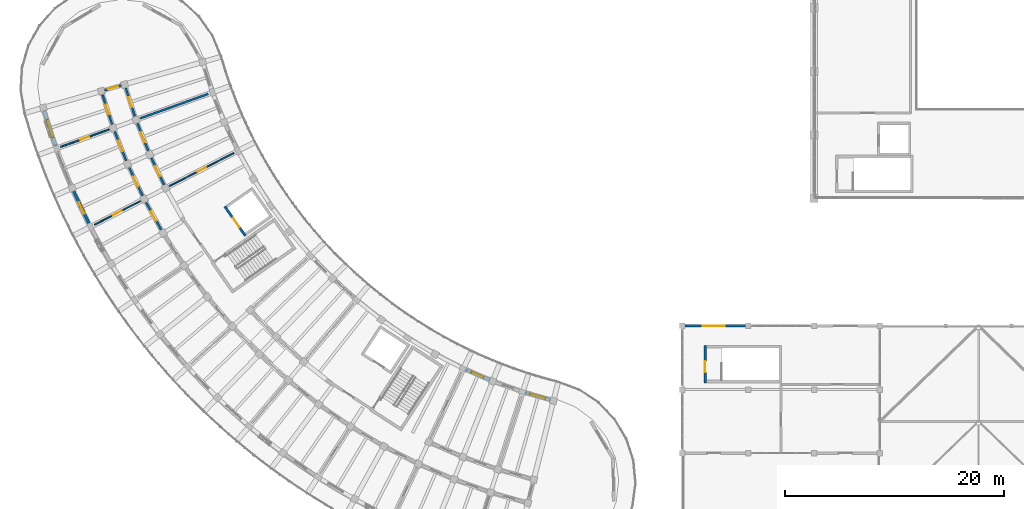
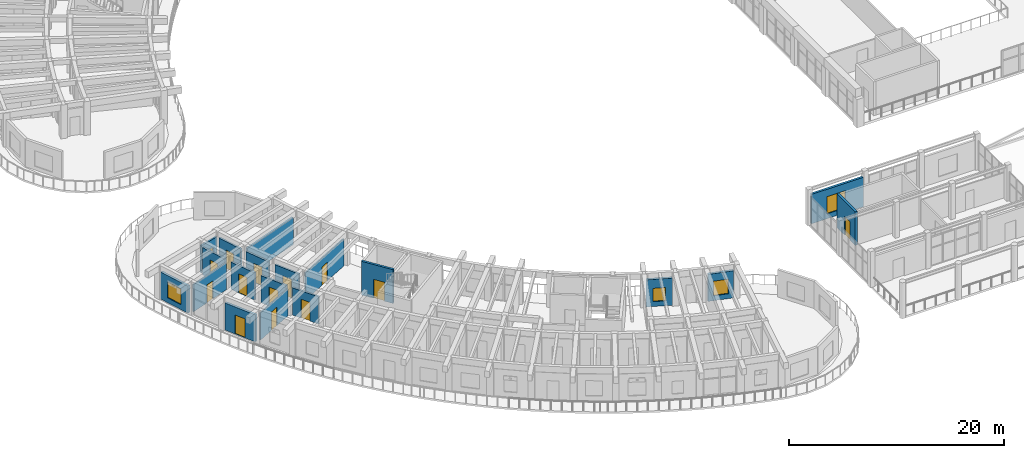
# One storey, part 83 of 128: 19 walls, 14 doors, 4 windows, 18 openings.
"""IFC4 building model written with IfcOpenShell, lengths in metres."""

from ifc_helpers import new_model, si_unit, direction, frame, frame_2d, origin, place, context, subcontext, project, spatial, rectangle, extrude, material, layer, layer_set, type_object, element, fill, save


model = new_model("IFC4")

# Units and contexts
model_context = context("Model", 3, precision=1e-05, world=origin(), true_north=direction((0.0, 1.0)))
body_context = subcontext(model_context, "Body", "Model", "MODEL_VIEW")
ifc_project = project(units=[si_unit("LENGTHUNIT", "METRE"), si_unit("AREAUNIT", "SQUARE_METRE"), si_unit("VOLUMEUNIT", "CUBIC_METRE"), si_unit("PLANEANGLEUNIT", "RADIAN"), si_unit("MASSUNIT", "GRAM", prefix="KILO")], contexts=[model_context])

# Site, building, storey
site_placement = place(None, origin())
site = spatial("IfcSite", under=ifc_project, at=site_placement, CompositionType="ELEMENT")
building_placement = place(site_placement, origin())
building = spatial("IfcBuilding", under=site, at=building_placement, Name="Tanwirah Colonnade Gardens", CompositionType="ELEMENT")
storey_placement = place(building_placement, frame((0.0, 0.0, 4.760009765625)))
storey = spatial("IfcBuildingStorey", under=building, at=storey_placement, Name="L01", CompositionType="ELEMENT", Elevation=4.760009765625)

# Wall, opening, window
ifc_material_1 = material(Name="Limestone architectural precast concrete C40/50", Category="masonry")
ifc_layer_1 = layer(ifc_material_1, 0.239990234375)
ifc_layer_set_1 = layer_set([ifc_layer_1], Name="Limestone architectural precast concrete C40/50")
wall_type_1 = type_object("IfcWallType", Name="EW-PC240", PredefinedType="SOLIDWALL", material=ifc_layer_set_1)
wall_1_placement = place(storey_placement, frame((66.219970703125, 28.199951171875, 0.0), z_axis=(0.0, 0.0, 1.0), x_axis=(1.0, 0.0, 0.0)))
wall_1 = element("IfcWall", 1, at=wall_1_placement, inside=storey, type_object=wall_type_1, Name="Boulevard Shops W L01 N Wall 0", PredefinedType="SOLIDWALL", context=body_context, shape_type="SweptSolid", body=[
    extrude(rectangle(XDim=5.56005859375, YDim=0.239990234375, at=frame_2d((2.780029296875, 0.0))), origin(), (0.0, 0.0, 1.0), 3.340087890625),
])
opening_1_placement = place(wall_1_placement, frame((1.639892578125, 0.0, 0.550048828125)))
opening_1 = element("IfcOpeningElement", 2, at=opening_1_placement, cuts=wall_1, Name="Opening WIN-SHP1", PredefinedType="OPENING", context=body_context, shape_type="SweptSolid", body=[
    extrude(rectangle(XDim=2.02001953125, YDim=1.949951171875, at=frame_2d((1.010009765625, 0.97509765625))), frame((0.0, 0.1298828125, 0.0), z_axis=(0.0, -1.0, 0.0), x_axis=(1.0, 0.0, 0.0)), (0.0, 0.0, 1.0), 0.260009765625),
])
ifc_material_2 = material(Name="Thermally broken bronze aluminium and solar low-E double glazing", Category="aluminium")
window_type_1 = type_object("IfcWindowType", Name="WIN-SHP1", PartitioningType="TRIPLE_PANEL_VERTICAL", PredefinedType="WINDOW", material=ifc_material_2)
window_1_placement = place(opening_1_placement, origin())
window_1 = element("IfcWindow", 3, at=window_1_placement, inside=storey, type_object=window_type_1, Name="Boulevard Shop Window W-L01-0", OverallHeight=1.949951171875, OverallWidth=2.02001953125, PartitioningType="SINGLE_PANEL", PredefinedType="WINDOW", context=body_context, shape_type="SweptSolid", body=[
    extrude(rectangle(XDim=2.02001953125, YDim=1.949951171875, at=frame_2d((1.010009765625, 0.97509765625))), frame((0.0, 0.030029296875, 0.0), z_axis=(0.0, -1.0, 0.0), x_axis=(1.0, 0.0, 0.0)), (0.0, 0.0, 1.0), 0.06005859375),
])
fill(opening_1, window_1)

ifc_layer_2 = layer(ifc_material_1, 0.260009765625)
ifc_layer_set_2 = layer_set([ifc_layer_2], Name="Limestone architectural precast concrete C40/50")
wall_type_2 = type_object("IfcWallType", Name="EW-PC260", PredefinedType="SOLIDWALL", material=ifc_layer_set_2)
wall_2_placement = place(storey_placement, frame((7.84130859375, 47.823974609375, 0.0), z_axis=(0.0, 0.0, 1.0), x_axis=(0.306963342814, -0.951721338506, 0.0)))
wall_2 = element("IfcWall", 4, at=wall_2_placement, inside=storey, type_object=wall_type_2, Name="Block C L01 OUT Precast Facade Wall 0", PredefinedType="SOLIDWALL", context=body_context, shape_type="SweptSolid", body=[
    extrude(rectangle(XDim=3.436767578125, YDim=0.260009765625, at=frame_2d((1.71826171875, 0.0))), origin(), (0.0, 0.0, 1.0), 3.074951171875),
])
opening_2_placement = place(wall_2_placement, frame((0.868408203125, 0.0, 0.550048828125)))
opening_2 = element("IfcOpeningElement", 5, at=opening_2_placement, cuts=wall_2, Name="Opening WIN-T12", PredefinedType="OPENING", context=body_context, shape_type="SweptSolid", body=[
    extrude(rectangle(XDim=1.699951171875, YDim=1.800048828125, at=frame_2d((0.85009765625, 0.89990234375))), frame((0.0, 0.139892578125, 0.0), z_axis=(0.0, -1.0, 0.0), x_axis=(1.0, 0.0, 0.0)), (0.0, 0.0, 1.0), 0.280029296875),
])
window_type_2 = type_object("IfcWindowType", Name="WIN-T12", PartitioningType="TRIPLE_PANEL_VERTICAL", PredefinedType="WINDOW", material=ifc_material_2)
window_2_placement = place(opening_2_placement, origin())
window_2 = element("IfcWindow", 6, at=window_2_placement, inside=storey, type_object=window_type_2, Name="Facade window C-L01-OUT-00", OverallHeight=1.800048828125, OverallWidth=1.699951171875, PartitioningType="SINGLE_PANEL", PredefinedType="WINDOW", context=body_context, shape_type="SweptSolid", body=[
    extrude(rectangle(XDim=1.699951171875, YDim=1.800048828125, at=frame_2d((0.85009765625, 0.89990234375))), frame((0.0, 0.030029296875, 0.0), z_axis=(0.0, -1.0, 0.0), x_axis=(1.0, 0.0, 0.0)), (0.0, 0.0, 1.0), 0.06005859375),
])
fill(opening_2, window_2)

# Wall, opening, door
wall_3_placement = place(storey_placement, frame((10.5068359375, 40.506103515625, 0.0), z_axis=(0.0, 0.0, 1.0), x_axis=(0.428562647062, -0.903512068289, 0.0)))
wall_3 = element("IfcWall", 7, at=wall_3_placement, inside=storey, type_object=wall_type_2, Name="Block C L01 OUT Precast Facade Wall 2", PredefinedType="SOLIDWALL", context=body_context, shape_type="SweptSolid", body=[
    extrude(rectangle(XDim=3.436767578125, YDim=0.260009765625, at=frame_2d((1.71826171875, 0.0))), origin(), (0.0, 0.0, 1.0), 3.074951171875),
])
opening_3_placement = place(wall_3_placement, frame((1.1484375, 0.0, 0.0)))
opening_3 = element("IfcOpeningElement", 8, at=opening_3_placement, cuts=wall_3, Name="Opening L01-ED127", PredefinedType="OPENING", context=body_context, shape_type="SweptSolid", body=[
    extrude(rectangle(XDim=1.139892578125, YDim=2.159912109375, at=frame_2d((0.56982421875, 1.080078125))), frame((0.0, 0.139892578125, 0.0), z_axis=(0.0, -1.0, 0.0), x_axis=(1.0, 0.0, 0.0)), (0.0, 0.0, 1.0), 0.280029296875),
])
ifc_material_3 = material(Name="Bronze aluminium glazed balcony door", Category="aluminium")
door_type_1 = type_object("IfcDoorType", Name="ED-BAL114", OperationType="NOTDEFINED", PredefinedType="DOOR", material=ifc_material_3)
door_1_placement = place(opening_3_placement, origin())
door_1 = element("IfcDoor", 9, at=door_1_placement, inside=storey, type_object=door_type_1, Name="Balcony glazed door L01-ED127", OperationType="SINGLE_SWING_RIGHT", OverallHeight=2.159912109375, OverallWidth=1.139892578125, PredefinedType="DOOR", context=body_context, shape_type="SweptSolid", body=[
    extrude(rectangle(XDim=1.139892578125, YDim=2.159912109375, at=frame_2d((0.56982421875, 1.080078125))), frame((0.0, 0.02490234375, 0.0), z_axis=(0.0, -1.0, 0.0), x_axis=(1.0, 0.0, 0.0)), (0.0, 0.0, 1.0), 0.050048828125),
])
fill(opening_3, door_1)

# Wall, opening, window
wall_4_placement = place(storey_placement, frame((46.208740234375, 24.2236328125, 0.0), z_axis=(0.0, 0.0, 1.0), x_axis=(0.917908073111, -0.396793106439, 0.0)))
wall_4 = element("IfcWall", 10, at=wall_4_placement, inside=storey, type_object=wall_type_2, Name="Block C L01 IN Precast Facade Wall 13", PredefinedType="SOLIDWALL", context=body_context, shape_type="SweptSolid", body=[
    extrude(rectangle(XDim=2.44873046875, YDim=0.260009765625, at=frame_2d((1.224365234375, 0.0))), origin(), (0.0, 0.0, 1.0), 3.074951171875),
])
opening_4_placement = place(wall_4_placement, frame((0.62451171875, 0.0, 0.550048828125)))
opening_4 = element("IfcOpeningElement", 11, at=opening_4_placement, cuts=wall_4, Name="Opening WIN-U02", PredefinedType="OPENING", context=body_context, shape_type="SweptSolid", body=[
    extrude(rectangle(XDim=1.199951171875, YDim=1.510009765625, at=frame_2d((0.60009765625, 0.7548828125))), frame((0.0, 0.139892578125, 0.0), z_axis=(0.0, -1.0, 0.0), x_axis=(1.0, 0.0, 0.0)), (0.0, 0.0, 1.0), 0.280029296875),
])
window_type_3 = type_object("IfcWindowType", Name="WIN-U02", PartitioningType="DOUBLE_PANEL_VERTICAL", PredefinedType="WINDOW", material=ifc_material_2)
window_3_placement = place(opening_4_placement, origin())
window_3 = element("IfcWindow", 12, at=window_3_placement, inside=storey, type_object=window_type_3, Name="Facade window C-L01-IN-13", OverallHeight=1.510009765625, OverallWidth=1.199951171875, PartitioningType="SINGLE_PANEL", PredefinedType="WINDOW", context=body_context, shape_type="SweptSolid", body=[
    extrude(rectangle(XDim=1.199951171875, YDim=1.510009765625, at=frame_2d((0.60009765625, 0.7548828125))), frame((0.0, 0.030029296875, 0.0), z_axis=(0.0, -1.0, 0.0), x_axis=(1.0, 0.0, 0.0)), (0.0, 0.0, 1.0), 0.06005859375),
])
fill(opening_4, window_3)

wall_5_placement = place(storey_placement, frame((51.626708984375, 22.115478515625, 0.0), z_axis=(0.0, 0.0, 1.0), x_axis=(0.961854311059, -0.273562212847, 0.0)))
wall_5 = element("IfcWall", 13, at=wall_5_placement, inside=storey, type_object=wall_type_2, Name="Block C L01 IN Precast Facade Wall 15", PredefinedType="SOLIDWALL", context=body_context, shape_type="SweptSolid", body=[
    extrude(rectangle(XDim=2.448974609375, YDim=0.260009765625, at=frame_2d((1.224609375, 0.0))), origin(), (0.0, 0.0, 1.0), 3.074951171875),
])
opening_5_placement = place(wall_5_placement, frame((0.50439453125, 0.0, 0.550048828125)))
opening_5 = element("IfcOpeningElement", 14, at=opening_5_placement, cuts=wall_5, Name="Opening WIN-U08", PredefinedType="OPENING", context=body_context, shape_type="SweptSolid", body=[
    extrude(rectangle(XDim=1.43994140625, YDim=1.659912109375, at=frame_2d((0.719970703125, 0.830078125))), frame((0.0, 0.139892578125, 0.0), z_axis=(0.0, -1.0, 0.0), x_axis=(1.0, 0.0, 0.0)), (0.0, 0.0, 1.0), 0.280029296875),
])
window_type_4 = type_object("IfcWindowType", Name="WIN-U08", PartitioningType="DOUBLE_PANEL_VERTICAL", PredefinedType="WINDOW", material=ifc_material_2)
window_4_placement = place(opening_5_placement, origin())
window_4 = element("IfcWindow", 15, at=window_4_placement, inside=storey, type_object=window_type_4, Name="Facade window C-L01-IN-15", OverallHeight=1.659912109375, OverallWidth=1.43994140625, PartitioningType="SINGLE_PANEL", PredefinedType="WINDOW", context=body_context, shape_type="SweptSolid", body=[
    extrude(rectangle(XDim=1.43994140625, YDim=1.659912109375, at=frame_2d((0.719970703125, 0.830078125))), frame((0.0, 0.030029296875, 0.0), z_axis=(0.0, -1.0, 0.0), x_axis=(1.0, 0.0, 0.0)), (0.0, 0.0, 1.0), 0.06005859375),
])
fill(opening_5, window_4)

# Wall, opening, door
ifc_material_4 = material(Name="Precast concrete C40/50", Category="concrete")
ifc_layer_3 = layer(ifc_material_4, 0.195068359375)
ifc_layer_set_3 = layer_set([ifc_layer_3], Name="Precast concrete C40/50")
wall_type_3 = type_object("IfcWallType", Name="IW-CORR195", PredefinedType="PARTITIONING", material=ifc_layer_set_3)
wall_6_placement = place(storey_placement, frame((13.151123046875, 49.268798828125, 0.0), z_axis=(0.0, 0.0, 1.0), x_axis=(0.30694495224, -0.951727269912, 0.0)))
wall_6 = element("IfcWall", 16, at=wall_6_placement, inside=storey, type_object=wall_type_3, Name="Block C L01 OUT Corridor Wall 0", PredefinedType="PARTITIONING", context=body_context, shape_type="SweptSolid", body=[
    extrude(rectangle(XDim=2.837158203125, YDim=0.195068359375, at=frame_2d((1.41845703125, 0.0))), origin(), (0.0, 0.0, 1.0), 3.090087890625),
])
opening_6_placement = place(wall_6_placement, frame((0.95361328125, 0.0, 0.0)))
opening_6 = element("IfcOpeningElement", 17, at=opening_6_placement, cuts=wall_6, Name="Opening L01-AD1315", PredefinedType="OPENING", context=body_context, shape_type="SweptSolid", body=[
    extrude(rectangle(XDim=0.929931640625, YDim=2.1201171875, at=frame_2d((0.46484375, 1.06005859375))), frame((0.0, 0.107421875, 0.0), z_axis=(0.0, -1.0, 0.0), x_axis=(1.0, 0.0, 0.0)), (0.0, 0.0, 1.0), 0.215087890625),
])
ifc_material_5 = material(Name="Solid oak fire-resisting apartment entrance door")
door_type_2 = type_object("IfcDoorType", Name="ID-FLT093", OperationType="NOTDEFINED", PredefinedType="DOOR", material=ifc_material_5)
door_2_placement = place(opening_6_placement, origin())
door_2 = element("IfcDoor", 18, at=door_2_placement, inside=storey, type_object=door_type_2, Name="Apartment corridor door L01-AD1315", OperationType="SINGLE_SWING_RIGHT", OverallHeight=2.1201171875, OverallWidth=0.929931640625, PredefinedType="DOOR", context=body_context, shape_type="SweptSolid", body=[
    extrude(rectangle(XDim=0.929931640625, YDim=2.1201171875, at=frame_2d((0.46484375, 1.06005859375))), frame((0.0, 0.02490234375, 0.0), z_axis=(0.0, -1.0, 0.0), x_axis=(1.0, 0.0, 0.0)), (0.0, 0.0, 1.0), 0.050048828125),
])
fill(opening_6, door_2)

wall_7_placement = place(storey_placement, frame((15.26611328125, 49.875, 0.0), z_axis=(0.0, 0.0, 1.0), x_axis=(0.306883578189, -0.951747061691, 0.0)))
wall_7 = element("IfcWall", 19, at=wall_7_placement, inside=storey, type_object=wall_type_3, Name="Block C L01 IN Corridor Wall 0", PredefinedType="PARTITIONING", context=body_context, shape_type="SweptSolid", body=[
    extrude(rectangle(XDim=2.69287109375, YDim=0.195068359375, at=frame_2d((1.346435546875, 0.0))), origin(), (0.0, 0.0, 1.0), 3.090087890625),
])
opening_7_placement = place(wall_7_placement, frame((0.881591796875, 0.0, 0.0)))
opening_7 = element("IfcOpeningElement", 20, at=opening_7_placement, cuts=wall_7, Name="Opening L01-AD1316", PredefinedType="OPENING", context=body_context, shape_type="SweptSolid", body=[
    extrude(rectangle(XDim=0.929931640625, YDim=2.1201171875, at=frame_2d((0.46484375, 1.06005859375))), frame((0.0, 0.107421875, 0.0), z_axis=(0.0, -1.0, 0.0), x_axis=(1.0, 0.0, 0.0)), (0.0, 0.0, 1.0), 0.215087890625),
])
door_3_placement = place(opening_7_placement, origin())
door_3 = element("IfcDoor", 21, at=door_3_placement, inside=storey, type_object=door_type_2, Name="Apartment corridor door L01-AD1316", OperationType="SINGLE_SWING_LEFT", OverallHeight=2.1201171875, OverallWidth=0.929931640625, PredefinedType="DOOR", context=body_context, shape_type="SweptSolid", body=[
    extrude(rectangle(XDim=0.929931640625, YDim=2.1201171875, at=frame_2d((0.46484375, 1.06005859375))), frame((0.0, 0.02490234375, 0.0), z_axis=(0.0, -1.0, 0.0), x_axis=(1.0, 0.0, 0.0)), (0.0, 0.0, 1.0), 0.050048828125),
])
fill(opening_7, door_3)

wall_8_placement = place(storey_placement, frame((14.25830078125, 45.91015625, 0.0), z_axis=(0.0, 0.0, 1.0), x_axis=(0.368584691693, -0.929594172233, 0.0)))
wall_8 = element("IfcWall", 22, at=wall_8_placement, inside=storey, type_object=wall_type_3, Name="Block C L01 OUT Corridor Wall 1", PredefinedType="PARTITIONING", context=body_context, shape_type="SweptSolid", body=[
    extrude(rectangle(XDim=2.8369140625, YDim=0.195068359375, at=frame_2d((1.41845703125, 0.0))), origin(), (0.0, 0.0, 1.0), 3.090087890625),
])
opening_8_placement = place(wall_8_placement, frame((0.923583984375, 0.0, 0.0)))
opening_8 = element("IfcOpeningElement", 23, at=opening_8_placement, cuts=wall_8, Name="Opening L01-AD1318", PredefinedType="OPENING", context=body_context, shape_type="SweptSolid", body=[
    extrude(rectangle(XDim=0.989990234375, YDim=2.159912109375, at=frame_2d((0.4951171875, 1.080078125))), frame((0.0, 0.107421875, 0.0), z_axis=(0.0, -1.0, 0.0), x_axis=(1.0, 0.0, 0.0)), (0.0, 0.0, 1.0), 0.215087890625),
])
door_type_3 = type_object("IfcDoorType", Name="ID-FLT099", OperationType="NOTDEFINED", PredefinedType="DOOR", material=ifc_material_5)
door_4_placement = place(opening_8_placement, origin())
door_4 = element("IfcDoor", 24, at=door_4_placement, inside=storey, type_object=door_type_3, Name="Apartment corridor door L01-AD1318", OperationType="SINGLE_SWING_LEFT", OverallHeight=2.159912109375, OverallWidth=0.989990234375, PredefinedType="DOOR", context=body_context, shape_type="SweptSolid", body=[
    extrude(rectangle(XDim=0.989990234375, YDim=2.159912109375, at=frame_2d((0.4951171875, 1.080078125))), frame((0.0, 0.02490234375, 0.0), z_axis=(0.0, -1.0, 0.0), x_axis=(1.0, 0.0, 0.0)), (0.0, 0.0, 1.0), 0.050048828125),
])
fill(opening_8, door_4)

wall_9_placement = place(storey_placement, frame((16.3291015625, 46.653564453125, 0.0), z_axis=(0.0, 0.0, 1.0), x_axis=(0.368528468945, -0.929616462622, 0.0)))
wall_9 = element("IfcWall", 25, at=wall_9_placement, inside=storey, type_object=wall_type_3, Name="Block C L01 IN Corridor Wall 1", PredefinedType="PARTITIONING", context=body_context, shape_type="SweptSolid", body=[
    extrude(rectangle(XDim=2.69287109375, YDim=0.195068359375, at=frame_2d((1.346435546875, 0.0))), origin(), (0.0, 0.0, 1.0), 3.090087890625),
])
opening_9_placement = place(wall_9_placement, frame((0.8515625, 0.0, 0.0)))
opening_9 = element("IfcOpeningElement", 26, at=opening_9_placement, cuts=wall_9, Name="Opening L01-AD1319", PredefinedType="OPENING", context=body_context, shape_type="SweptSolid", body=[
    extrude(rectangle(XDim=0.989990234375, YDim=2.159912109375, at=frame_2d((0.4951171875, 1.080078125))), frame((0.0, 0.107421875, 0.0), z_axis=(0.0, -1.0, 0.0), x_axis=(1.0, 0.0, 0.0)), (0.0, 0.0, 1.0), 0.215087890625),
])
door_5_placement = place(opening_9_placement, origin())
door_5 = element("IfcDoor", 27, at=door_5_placement, inside=storey, type_object=door_type_3, Name="Apartment corridor door L01-AD1319", OperationType="SINGLE_SWING_RIGHT", OverallHeight=2.159912109375, OverallWidth=0.989990234375, PredefinedType="DOOR", context=body_context, shape_type="SweptSolid", body=[
    extrude(rectangle(XDim=0.989990234375, YDim=2.159912109375, at=frame_2d((0.4951171875, 1.080078125))), frame((0.0, 0.02490234375, 0.0), z_axis=(0.0, -1.0, 0.0), x_axis=(1.0, 0.0, 0.0)), (0.0, 0.0, 1.0), 0.050048828125),
])
fill(opening_9, door_5)

wall_10_placement = place(storey_placement, frame((15.5830078125, 42.63134765625, 0.0), z_axis=(0.0, 0.0, 1.0), x_axis=(0.428493237107, -0.903544988229, 0.0)))
wall_10 = element("IfcWall", 28, at=wall_10_placement, inside=storey, type_object=wall_type_3, Name="Block C L01 OUT Corridor Wall 2", PredefinedType="PARTITIONING", context=body_context, shape_type="SweptSolid", body=[
    extrude(rectangle(XDim=2.8369140625, YDim=0.195068359375, at=frame_2d((1.41845703125, 0.0))), origin(), (0.0, 0.0, 1.0), 3.090087890625),
])
opening_10_placement = place(wall_10_placement, frame((0.93359375, 0.0, 0.0)))
opening_10 = element("IfcOpeningElement", 29, at=opening_10_placement, cuts=wall_10, Name="Opening L01-AD1320", PredefinedType="OPENING", context=body_context, shape_type="SweptSolid", body=[
    extrude(rectangle(XDim=0.969970703125, YDim=2.14990234375, at=frame_2d((0.48486328125, 1.074951171875))), frame((0.0, 0.107421875, 0.0), z_axis=(0.0, -1.0, 0.0), x_axis=(1.0, 0.0, 0.0)), (0.0, 0.0, 1.0), 0.215087890625),
])
door_type_4 = type_object("IfcDoorType", Name="ID-FLT097", OperationType="NOTDEFINED", PredefinedType="DOOR", material=ifc_material_5)
door_6_placement = place(opening_10_placement, origin())
door_6 = element("IfcDoor", 30, at=door_6_placement, inside=storey, type_object=door_type_4, Name="Apartment corridor door L01-AD1320", OperationType="SINGLE_SWING_RIGHT", OverallHeight=2.14990234375, OverallWidth=0.969970703125, PredefinedType="DOOR", context=body_context, shape_type="SweptSolid", body=[
    extrude(rectangle(XDim=0.969970703125, YDim=2.14990234375, at=frame_2d((0.48486328125, 1.074951171875))), frame((0.0, 0.02490234375, 0.0), z_axis=(0.0, -1.0, 0.0), x_axis=(1.0, 0.0, 0.0)), (0.0, 0.0, 1.0), 0.050048828125),
])
fill(opening_10, door_6)

wall_11_placement = place(storey_placement, frame((17.600341796875, 43.508544921875, 0.0), z_axis=(0.0, 0.0, 1.0), x_axis=(0.428550049392, -0.903518043631, 0.0)))
wall_11 = element("IfcWall", 31, at=wall_11_placement, inside=storey, type_object=wall_type_3, Name="Block C L01 IN Corridor Wall 2", PredefinedType="PARTITIONING", context=body_context, shape_type="SweptSolid", body=[
    extrude(rectangle(XDim=2.69287109375, YDim=0.195068359375, at=frame_2d((1.346435546875, 0.0))), origin(), (0.0, 0.0, 1.0), 3.090087890625),
])
opening_11_placement = place(wall_11_placement, frame((0.861572265625, 0.0, 0.0)))
opening_11 = element("IfcOpeningElement", 32, at=opening_11_placement, cuts=wall_11, Name="Opening L01-AD1321", PredefinedType="OPENING", context=body_context, shape_type="SweptSolid", body=[
    extrude(rectangle(XDim=0.969970703125, YDim=2.14990234375, at=frame_2d((0.48486328125, 1.074951171875))), frame((0.0, 0.107421875, 0.0), z_axis=(0.0, -1.0, 0.0), x_axis=(1.0, 0.0, 0.0)), (0.0, 0.0, 1.0), 0.215087890625),
])
door_7_placement = place(opening_11_placement, origin())
door_7 = element("IfcDoor", 33, at=door_7_placement, inside=storey, type_object=door_type_4, Name="Apartment corridor door L01-AD1321", OperationType="SINGLE_SWING_LEFT", OverallHeight=2.14990234375, OverallWidth=0.969970703125, PredefinedType="DOOR", context=body_context, shape_type="SweptSolid", body=[
    extrude(rectangle(XDim=0.969970703125, YDim=2.14990234375, at=frame_2d((0.48486328125, 1.074951171875))), frame((0.0, 0.02490234375, 0.0), z_axis=(0.0, -1.0, 0.0), x_axis=(1.0, 0.0, 0.0)), (0.0, 0.0, 1.0), 0.050048828125),
])
fill(opening_11, door_7)

wall_12_placement = place(storey_placement, frame((17.118896484375, 39.4462890625, 0.0), z_axis=(0.0, 0.0, 1.0), x_axis=(0.48673124079, -0.8735517725, 0.0)))
wall_12 = element("IfcWall", 34, at=wall_12_placement, inside=storey, type_object=wall_type_3, Name="Block C L01 OUT Corridor Wall 3", PredefinedType="PARTITIONING", context=body_context, shape_type="SweptSolid", body=[
    extrude(rectangle(XDim=2.8369140625, YDim=0.195068359375, at=frame_2d((1.41845703125, 0.0))), origin(), (0.0, 0.0, 1.0), 3.090087890625),
])
opening_12_placement = place(wall_12_placement, frame((0.943603515625, 0.0, 0.0)))
opening_12 = element("IfcOpeningElement", 35, at=opening_12_placement, cuts=wall_12, Name="Opening L01-AD1324", PredefinedType="OPENING", context=body_context, shape_type="SweptSolid", body=[
    extrude(rectangle(XDim=0.949951171875, YDim=2.1298828125, at=frame_2d((0.47509765625, 1.06494140625))), frame((0.0, 0.107421875, 0.0), z_axis=(0.0, -1.0, 0.0), x_axis=(1.0, 0.0, 0.0)), (0.0, 0.0, 1.0), 0.215087890625),
])
door_type_5 = type_object("IfcDoorType", Name="ID-FLT095", OperationType="NOTDEFINED", PredefinedType="DOOR", material=ifc_material_5)
door_8_placement = place(opening_12_placement, origin())
door_8 = element("IfcDoor", 36, at=door_8_placement, inside=storey, type_object=door_type_5, Name="Apartment corridor door L01-AD1324", OperationType="SINGLE_SWING_LEFT", OverallHeight=2.1298828125, OverallWidth=0.949951171875, PredefinedType="DOOR", context=body_context, shape_type="SweptSolid", body=[
    extrude(rectangle(XDim=0.949951171875, YDim=2.1298828125, at=frame_2d((0.47509765625, 1.06494140625))), frame((0.0, 0.02490234375, 0.0), z_axis=(0.0, -1.0, 0.0), x_axis=(1.0, 0.0, 0.0)), (0.0, 0.0, 1.0), 0.050048828125),
])
fill(opening_12, door_8)

wall_13_placement = place(storey_placement, frame((15.110595703125, 50.1943359375, 0.0), z_axis=(0.0, 0.0, 1.0), x_axis=(-0.961264701934, -0.275626872449, 0.0)))
wall_13 = element("IfcWall", 37, at=wall_13_placement, inside=storey, type_object=wall_type_3, Name="Block C L01 CS Corner Suite Corridor Wall", PredefinedType="PARTITIONING", context=body_context, shape_type="SweptSolid", body=[
    extrude(rectangle(XDim=2.10009765625, YDim=0.195068359375, at=frame_2d((1.050048828125, 0.0))), origin(), (0.0, 0.0, 1.0), 3.090087890625),
])
opening_13_placement = place(wall_13_placement, frame((0.570068359375, 0.0, 0.0)))
opening_13 = element("IfcOpeningElement", 38, at=opening_13_placement, cuts=wall_13, Name="Opening L01-CD1351", PredefinedType="OPENING", context=body_context, shape_type="SweptSolid", body=[
    extrude(rectangle(XDim=0.949951171875, YDim=2.1298828125, at=frame_2d((0.47509765625, 1.06494140625))), frame((0.0, 0.107421875, 0.0), z_axis=(0.0, -1.0, 0.0), x_axis=(1.0, 0.0, 0.0)), (0.0, 0.0, 1.0), 0.215087890625),
])
door_9_placement = place(opening_13_placement, origin())
door_9 = element("IfcDoor", 39, at=door_9_placement, inside=storey, type_object=door_type_5, Name="Corner suite entrance door L01-CD1351", OperationType="SINGLE_SWING_LEFT", OverallHeight=2.1298828125, OverallWidth=0.949951171875, PredefinedType="DOOR", context=body_context, shape_type="SweptSolid", body=[
    extrude(rectangle(XDim=0.949951171875, YDim=2.1298828125, at=frame_2d((0.47509765625, 1.06494140625))), frame((0.0, 0.02490234375, 0.0), z_axis=(0.0, -1.0, 0.0), x_axis=(1.0, 0.0, 0.0)), (0.0, 0.0, 1.0), 0.050048828125),
])
fill(opening_13, door_9)

# Wall
ifc_layer_4 = layer(ifc_material_4, 0.18505859375)
ifc_layer_set_4 = layer_set([ifc_layer_4], Name="Precast concrete C40/50")
wall_type_4 = type_object("IfcWallType", Name="IW-DEM185", PredefinedType="PARTITIONING", material=ifc_layer_set_4)
wall_14_placement = place(storey_placement, frame((22.788330078125, 49.344482421875, 0.0), z_axis=(0.0, 0.0, 1.0), x_axis=(-0.941179890997, -0.337905922978, 0.0)))
element("IfcWall", 40, at=wall_14_placement, inside=storey, type_object=wall_type_4, Name="Block C L01 Inner Radial Partition 0", PredefinedType="PARTITIONING", context=body_context, shape_type="SweptSolid", body=[
    extrude(rectangle(XDim=6.60009765625, YDim=0.18505859375, at=frame_2d((3.300048828125, 0.0))), origin(), (0.0, 0.0, 1.0), 3.090087890625),
])

# Wall, opening, door
ifc_material_6 = material(Name="Acoustic gypsum stud partition")
ifc_layer_5 = layer(ifc_material_6, 0.114990234375)
ifc_layer_set_5 = layer_set([ifc_layer_5], Name="Acoustic gypsum stud partition")
wall_type_5 = type_object("IfcWallType", Name="IW-INT115", PredefinedType="PARTITIONING", material=ifc_layer_set_5)
wall_15_placement = place(storey_placement, frame((16.593017578125, 39.56884765625, 0.0), z_axis=(0.0, 0.0, 1.0), x_axis=(-0.889013002038, -0.457881952262, 0.0)))
wall_15 = element("IfcWall", 41, at=wall_15_placement, inside=storey, type_object=wall_type_5, Name="Block C L01 Radial Partition 2", PredefinedType="PARTITIONING", context=body_context, shape_type="SweptSolid", body=[
    extrude(rectangle(XDim=4.7001953125, YDim=0.114990234375, at=frame_2d((2.35009765625, 0.0))), origin(), (0.0, 0.0, 1.0), 3.090087890625),
])
opening_14_placement = place(wall_15_placement, frame((1.89501953125, 0.0, 0.0)))
opening_14 = element("IfcOpeningElement", 42, at=opening_14_placement, cuts=wall_15, Name="Opening L01-RD1322", PredefinedType="OPENING", context=body_context, shape_type="SweptSolid", body=[
    extrude(rectangle(XDim=0.909912109375, YDim=2.10009765625, at=frame_2d((0.455078125, 1.050048828125))), frame((0.0, 0.0673828125, 0.0), z_axis=(0.0, -1.0, 0.0), x_axis=(1.0, 0.0, 0.0)), (0.0, 0.0, 1.0), 0.135009765625),
])
ifc_material_7 = material(Name="Painted hardwood internal room door", Category="wood")
door_type_6 = type_object("IfcDoorType", Name="ID-RM091", OperationType="NOTDEFINED", PredefinedType="DOOR", material=ifc_material_7)
door_10_placement = place(opening_14_placement, origin())
door_10 = element("IfcDoor", 43, at=door_10_placement, inside=storey, type_object=door_type_6, Name="Internal apartment door L01-RD1322", OperationType="SINGLE_SWING_RIGHT", OverallHeight=2.10009765625, OverallWidth=0.909912109375, PredefinedType="DOOR", context=body_context, shape_type="SweptSolid", body=[
    extrude(rectangle(XDim=0.909912109375, YDim=2.10009765625, at=frame_2d((0.455078125, 1.050048828125))), frame((0.0, 0.02490234375, 0.0), z_axis=(0.0, -1.0, 0.0), x_axis=(1.0, 0.0, 0.0)), (0.0, 0.0, 1.0), 0.050048828125),
])
fill(opening_14, door_10)

ifc_material_8 = material(Name="Moisture-resistant gypsum stud partition")
ifc_layer_6 = layer(ifc_material_8, 0.125)
ifc_layer_set_6 = layer_set([ifc_layer_6], Name="Moisture-resistant gypsum stud partition")
wall_type_6 = type_object("IfcWallType", Name="IW-INT125", PredefinedType="PARTITIONING", material=ifc_layer_set_6)
wall_16_placement = place(storey_placement, frame((25.127685546875, 43.96435546875, 0.0), z_axis=(0.0, 0.0, 1.0), x_axis=(-0.889022010753, -0.457864460727, 0.0)))
wall_16 = element("IfcWall", 44, at=wall_16_placement, inside=storey, type_object=wall_type_6, Name="Block C L01 Inner Radial Partition 2", PredefinedType="PARTITIONING", context=body_context, shape_type="SweptSolid", body=[
    extrude(rectangle(XDim=6.60009765625, YDim=0.125, at=frame_2d((3.300048828125, 0.0))), origin(), (0.0, 0.0, 1.0), 3.090087890625),
])
opening_15_placement = place(wall_16_placement, frame((2.85498046875, 0.0, 0.0)))
opening_15 = element("IfcOpeningElement", 45, at=opening_15_placement, cuts=wall_16, Name="Opening L01-RD1323", PredefinedType="OPENING", context=body_context, shape_type="SweptSolid", body=[
    extrude(rectangle(XDim=0.889892578125, YDim=2.10009765625, at=frame_2d((0.44482421875, 1.050048828125))), frame((0.0, 0.072509765625, 0.0), z_axis=(0.0, -1.0, 0.0), x_axis=(1.0, 0.0, 0.0)), (0.0, 0.0, 1.0), 0.14501953125),
])
ifc_material_9 = material(Name="Painted hardwood bedroom door", Category="wood")
door_type_7 = type_object("IfcDoorType", Name="ID-RM089", OperationType="NOTDEFINED", PredefinedType="DOOR", material=ifc_material_9)
door_11_placement = place(opening_15_placement, origin())
door_11 = element("IfcDoor", 46, at=door_11_placement, inside=storey, type_object=door_type_7, Name="Internal apartment door L01-RD1323", OperationType="SINGLE_SWING_LEFT", OverallHeight=2.10009765625, OverallWidth=0.889892578125, PredefinedType="DOOR", context=body_context, shape_type="SweptSolid", body=[
    extrude(rectangle(XDim=0.889892578125, YDim=2.10009765625, at=frame_2d((0.44482421875, 1.050048828125))), frame((0.0, 0.02490234375, 0.0), z_axis=(0.0, -1.0, 0.0), x_axis=(1.0, 0.0, 0.0)), (0.0, 0.0, 1.0), 0.050048828125),
])
fill(opening_15, door_11)

ifc_material_10 = material(Name="Water-resistant acoustic plumbing partition")
ifc_layer_7 = layer(ifc_material_10, 0.139892578125)
ifc_layer_set_7 = layer_set([ifc_layer_7], Name="Water-resistant acoustic plumbing partition")
wall_type_7 = type_object("IfcWallType", Name="IW-WET140", PredefinedType="PLUMBINGWALL", material=ifc_layer_set_7)
wall_17_placement = place(storey_placement, frame((13.7529296875, 46.100341796875, 0.0), z_axis=(0.0, 0.0, 1.0), x_axis=(-0.941182387398, -0.337898969591, 0.0)))
wall_17 = element("IfcWall", 47, at=wall_17_placement, inside=storey, type_object=wall_type_7, Name="Block C L01 Radial Partition 0", PredefinedType="PLUMBINGWALL", context=body_context, shape_type="SweptSolid", body=[
    extrude(rectangle(XDim=4.699951171875, YDim=0.139892578125, at=frame_2d((2.35009765625, 0.0))), origin(), (0.0, 0.0, 1.0), 3.090087890625),
])
opening_16_placement = place(wall_17_placement, frame((1.925048828125, 0.0, 0.0)))
opening_16 = element("IfcOpeningElement", 48, at=opening_16_placement, cuts=wall_17, Name="Opening L01-RD1317", PredefinedType="OPENING", context=body_context, shape_type="SweptSolid", body=[
    extrude(rectangle(XDim=0.85009765625, YDim=2.050048828125, at=frame_2d((0.425048828125, 1.02490234375))), frame((0.0, 0.079833984375, 0.0), z_axis=(0.0, -1.0, 0.0), x_axis=(1.0, 0.0, 0.0)), (0.0, 0.0, 1.0), 0.159912109375),
])
ifc_material_11 = material(Name="Moisture-resistant en-suite door")
door_type_8 = type_object("IfcDoorType", Name="ID-WET085", OperationType="NOTDEFINED", PredefinedType="DOOR", material=ifc_material_11)
door_12_placement = place(opening_16_placement, origin())
door_12 = element("IfcDoor", 49, at=door_12_placement, inside=storey, type_object=door_type_8, Name="Internal apartment door L01-RD1317", OperationType="SINGLE_SWING_RIGHT", OverallHeight=2.050048828125, OverallWidth=0.85009765625, PredefinedType="DOOR", context=body_context, shape_type="SweptSolid", body=[
    extrude(rectangle(XDim=0.85009765625, YDim=2.050048828125, at=frame_2d((0.425048828125, 1.02490234375))), frame((0.0, 0.02490234375, 0.0), z_axis=(0.0, -1.0, 0.0), x_axis=(1.0, 0.0, 0.0)), (0.0, 0.0, 1.0), 0.050048828125),
])
fill(opening_16, door_12)

ifc_material_12 = material(Name="Concrete C45/55", Category="concrete")
ifc_layer_8 = layer(ifc_material_12, 0.235107421875)
ifc_layer_set_8 = layer_set([ifc_layer_8], Name="Concrete C45/55")
wall_type_8 = type_object("IfcWallType", Name="SW-CORE235", PredefinedType="SHEAR", material=ifc_layer_set_8)
wall_18_placement = place(storey_placement, frame((68.08251953125, 23.014892578125, 0.0), z_axis=(0.0, 0.0, 1.0), x_axis=(0.0, 1.0, 0.0)))
wall_18 = element("IfcWall", 50, at=wall_18_placement, inside=storey, type_object=wall_type_8, Name="CORE-SW L01 Stair Shaft Shear Wall NEAR", PredefinedType="SHEAR", context=body_context, shape_type="SweptSolid", body=[
    extrude(rectangle(XDim=3.39013671875, YDim=0.235107421875, at=frame_2d((1.695068359375, 0.0))), origin(), (0.0, 0.0, 1.0), 3.830078125),
])
opening_17_placement = place(wall_18_placement, frame((0.949951171875, 0.0, 0.0)))
opening_17 = element("IfcOpeningElement", 51, at=opening_17_placement, cuts=wall_18, Name="Opening L01-SD218", PredefinedType="OPENING", context=body_context, shape_type="SweptSolid", body=[
    extrude(rectangle(XDim=1.02001953125, YDim=2.139892578125, at=frame_2d((0.510009765625, 1.06982421875))), frame((0.0, 0.12744140625, 0.0), z_axis=(0.0, -1.0, 0.0), x_axis=(1.0, 0.0, 0.0)), (0.0, 0.0, 1.0), 0.255126953125),
])
ifc_material_13 = material(Name="Steel fire-resisting stair enclosure door", Category="steel")
door_type_9 = type_object("IfcDoorType", Name="ID-ST102", OperationType="NOTDEFINED", PredefinedType="DOOR", material=ifc_material_13)
door_13_placement = place(opening_17_placement, origin())
door_13 = element("IfcDoor", 52, at=door_13_placement, inside=storey, type_object=door_type_9, Name="CORE-SW L01 Stair Fire Door L01-SD218", OperationType="SINGLE_SWING_LEFT", OverallHeight=2.139892578125, OverallWidth=1.02001953125, PredefinedType="DOOR", context=body_context, shape_type="SweptSolid", body=[
    extrude(rectangle(XDim=1.02001953125, YDim=2.139892578125, at=frame_2d((0.510009765625, 1.06982421875))), frame((0.0, 0.02490234375, 0.0), z_axis=(0.0, -1.0, 0.0), x_axis=(1.0, 0.0, 0.0)), (0.0, 0.0, 1.0), 0.050048828125),
])
fill(opening_17, door_13)

ifc_layer_9 = layer(ifc_material_12, 0.22998046875)
ifc_layer_set_9 = layer_set([ifc_layer_9], Name="Concrete C45/55")
wall_type_9 = type_object("IfcWallType", Name="SW-LIFT230", PredefinedType="SHEAR", material=ifc_layer_set_9)
wall_19_placement = place(storey_placement, frame((26.1689453125, 36.419189453125, 0.0), z_axis=(0.0, 0.0, 1.0), x_axis=(-0.573582966431, 0.819147471839, 0.0)))
wall_19 = element("IfcWall", 53, at=wall_19_placement, inside=storey, type_object=wall_type_9, Name="CORE-C1 L01 Lift Shaft Wall FRONT", PredefinedType="SHEAR", context=body_context, shape_type="SweptSolid", body=[
    extrude(rectangle(XDim=3.260009765625, YDim=0.22998046875, at=frame_2d((1.6298828125, 0.0))), origin(), (0.0, 0.0, 1.0), 3.830078125),
])
opening_18_placement = place(wall_19_placement, frame((0.89990234375, 0.0, 0.0)))
opening_18 = element("IfcOpeningElement", 54, at=opening_18_placement, cuts=wall_19, Name="Opening L01-LD-FL-C1", PredefinedType="OPENING", context=body_context, shape_type="SweptSolid", body=[
    extrude(rectangle(XDim=1.10009765625, YDim=2.14990234375, at=frame_2d((0.550048828125, 1.074951171875))), frame((0.0, 0.125, 0.0), z_axis=(0.0, -1.0, 0.0), x_axis=(1.0, 0.0, 0.0)), (0.0, 0.0, 1.0), 0.25),
])
ifc_material_14 = material(Name="Stainless steel sliding fire lift landing door", Category="steel")
door_type_10 = type_object("IfcDoorType", Name="LD-FF11", OperationType="DOUBLE_DOOR_SLIDING", PredefinedType="DOOR", material=ifc_material_14)
door_14_placement = place(opening_18_placement, origin())
door_14 = element("IfcDoor", 55, at=door_14_placement, inside=storey, type_object=door_type_10, Name="Lift FL-C1 L01 Sliding Landing Door", OperationType="DOUBLE_DOOR_SLIDING", OverallHeight=2.14990234375, OverallWidth=1.10009765625, PredefinedType="DOOR", context=body_context, shape_type="SweptSolid", body=[
    extrude(rectangle(XDim=1.10009765625, YDim=2.14990234375, at=frame_2d((0.550048828125, 1.074951171875))), frame((0.0, 0.02490234375, 0.0), z_axis=(0.0, -1.0, 0.0), x_axis=(1.0, 0.0, 0.0)), (0.0, 0.0, 1.0), 0.050048828125),
])
fill(opening_18, door_14)

save(model, "model.ifc")
